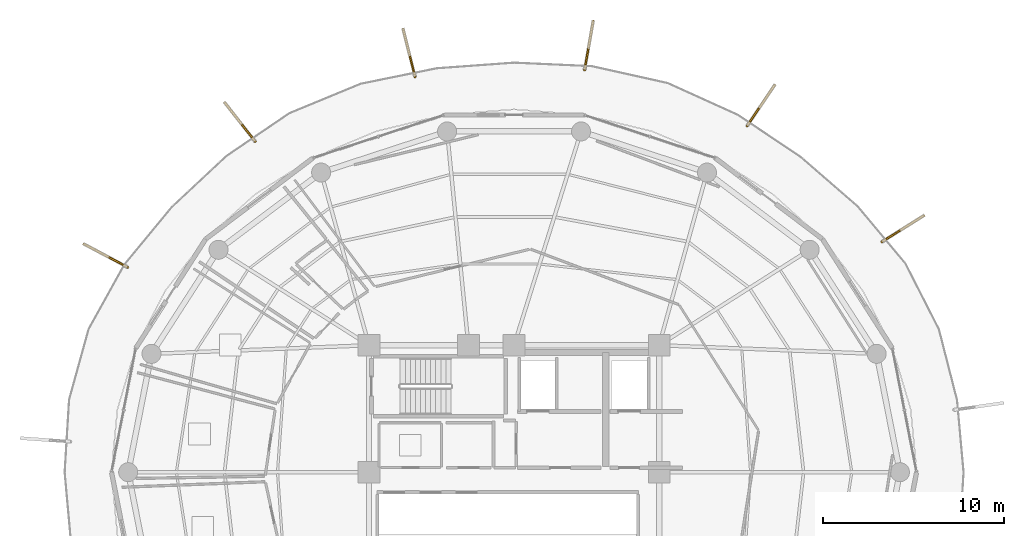
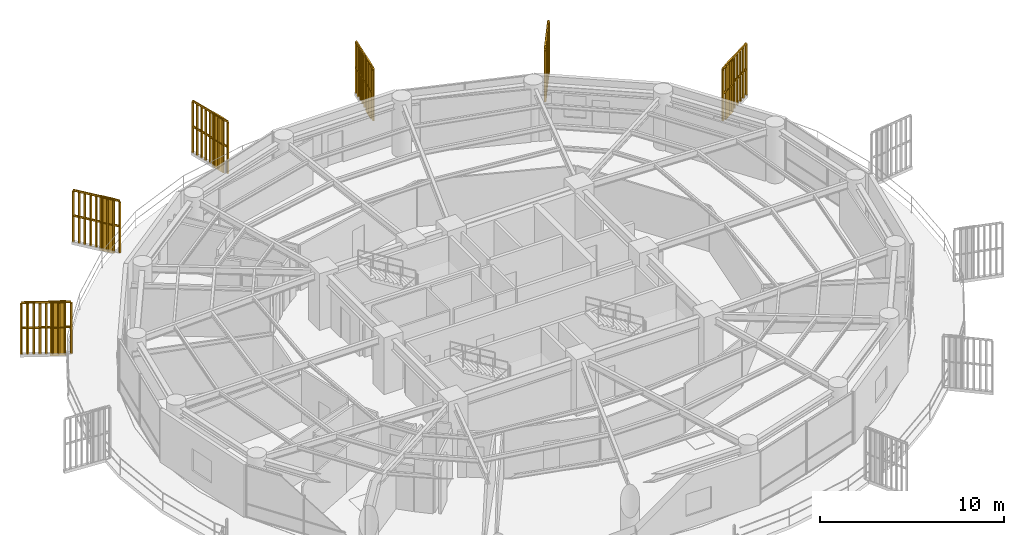
# One storey, part 30 of 30: 6 railings, 6 shading devices.
"""IFC4 building model written with IfcOpenShell, lengths in metres."""

from ifc_helpers import new_model, si_unit, direction, frame, origin, origin_2d, place, context, subcontext, project, spatial, polyline, rectangle, outline, extrude, source, transform, mapped, material, type_object, element, save


model = new_model("IFC4")

# Units and contexts
model_context = context("Model", 3, precision=1e-05, world=origin(), true_north=direction((0.0, 1.0)))
body_context = subcontext(model_context, "Body", "Model", "MODEL_VIEW")
ifc_project = project(units=[si_unit("LENGTHUNIT", "METRE"), si_unit("AREAUNIT", "SQUARE_METRE"), si_unit("VOLUMEUNIT", "CUBIC_METRE"), si_unit("PLANEANGLEUNIT", "RADIAN"), si_unit("MASSUNIT", "GRAM", prefix="KILO")], contexts=[model_context])

# Site, building, storey
site_placement = place(None, origin())
site = spatial("IfcSite", under=ifc_project, at=site_placement, CompositionType="ELEMENT")
building_placement = place(site_placement, origin())
building = spatial("IfcBuilding", under=site, at=building_placement, Name="Kelanora Arch Commons", CompositionType="ELEMENT")
storey_placement = place(building_placement, frame((0.0, 0.0, 211.949951171875)))
storey = spatial("IfcBuildingStorey", under=building, at=storey_placement, Name="L54", CompositionType="ELEMENT", Elevation=211.949951171875)

# Railings
ifc_material_1 = material(Name="Anodised bronze vertical shading fin rib assembly")
railing_type = type_object("IfcRailingType", Name="RAIL-FIN-BRZ", PredefinedType="BALUSTRADE", material=ifc_material_1)
railing_1_placement = place(storey_placement, frame((94.292724609375, 70.7080078125, -0.02001953125)))
element("IfcRailing", 1, at=railing_1_placement, inside=storey, type_object=railing_type, Name="Sweeping Bronze Vertical Fin Blade L54-03", PredefinedType="BALUSTRADE", context=body_context, shape_type="SweptSolid", body=[
    extrude(outline(polyline([(0.06982421875, 0.0), (0.034912109375, 0.060546875), (-0.034912109375, 0.060546875), (-0.06982421875, 0.0), (-0.034912109375, -0.060546875), (0.034912109375, -0.060546875), (0.06982421875, 0.0)])), frame((0.0, 0.0, 3.419921875), z_axis=(0.847567773261, 0.530687167482, 0.0), x_axis=(-0.530687167482, 0.847567773261, 0.0)), (0.0, 0.0, 1.0), 2.709716796875),
    extrude(outline(polyline([(0.06982421875, 0.0), (0.034912109375, 0.060546875), (-0.034912109375, 0.060546875), (-0.06982421875, 0.0), (-0.034912109375, -0.060546875), (0.034912109375, -0.060546875), (0.06982421875, 0.0)])), frame((0.0, 0.0, 1.7451171875), z_axis=(0.847567773261, 0.530687167482, 0.0), x_axis=(-0.530687167482, 0.847567773261, 0.0)), (0.0, 0.0, 1.0), 2.709716796875),
    extrude(outline(polyline([(0.080078125, 0.0), (0.0400390625, 0.0693359375), (-0.0400390625, 0.0693359375), (-0.080078125, 0.0), (-0.0400390625, -0.0693359375), (0.0400390625, -0.0693359375), (0.080078125, 0.0)])), origin(), (0.0, 0.0, 1.0), 3.35009765625),
    extrude(outline(polyline([(0.080078125, 0.0), (0.0400390625, 0.0693359375), (-0.0400390625, 0.0693359375), (-0.080078125, 0.0), (-0.0400390625, -0.0693359375), (0.0400390625, -0.0693359375), (0.080078125, 0.0)])), frame((0.287109375, 0.1796875, 0.0)), (0.0, 0.0, 1.0), 3.35009765625),
    extrude(outline(polyline([(0.080078125, 0.0), (0.0400390625, 0.0693359375), (-0.0400390625, 0.0693359375), (-0.080078125, 0.0), (-0.0400390625, -0.0693359375), (0.0400390625, -0.0693359375), (0.080078125, 0.0)])), frame((0.57421875, 0.359375, 0.0)), (0.0, 0.0, 1.0), 3.35009765625),
    extrude(outline(polyline([(0.080078125, 0.0), (0.0400390625, 0.0693359375), (-0.0400390625, 0.0693359375), (-0.080078125, 0.0), (-0.0400390625, -0.0693359375), (0.0400390625, -0.0693359375), (0.080078125, 0.0)])), frame((0.861328125, 0.539306640625, 0.0)), (0.0, 0.0, 1.0), 3.35009765625),
    extrude(outline(polyline([(0.080078125, 0.0), (0.0400390625, 0.0693359375), (-0.0400390625, 0.0693359375), (-0.080078125, 0.0), (-0.0400390625, -0.0693359375), (0.0400390625, -0.0693359375), (0.080078125, 0.0)])), frame((1.1484375, 0.718994140625, 0.0)), (0.0, 0.0, 1.0), 3.35009765625),
    extrude(outline(polyline([(0.080078125, 0.0), (0.0400390625, 0.0693359375), (-0.0400390625, 0.0693359375), (-0.080078125, 0.0), (-0.0400390625, -0.0693359375), (0.0400390625, -0.0693359375), (0.080078125, 0.0)])), frame((1.435302734375, 0.898681640625, 0.0)), (0.0, 0.0, 1.0), 3.35009765625),
    extrude(outline(polyline([(0.080078125, 0.0), (0.0400390625, 0.0693359375), (-0.0400390625, 0.0693359375), (-0.080078125, 0.0), (-0.0400390625, -0.0693359375), (0.0400390625, -0.0693359375), (0.080078125, 0.0)])), frame((1.722412109375, 1.07861328125, 0.0)), (0.0, 0.0, 1.0), 3.35009765625),
    extrude(outline(polyline([(0.080078125, 0.0), (0.0400390625, 0.0693359375), (-0.0400390625, 0.0693359375), (-0.080078125, 0.0), (-0.0400390625, -0.0693359375), (0.0400390625, -0.0693359375), (0.080078125, 0.0)])), frame((2.009521484375, 1.25830078125, 0.0)), (0.0, 0.0, 1.0), 3.35009765625),
    extrude(outline(polyline([(0.080078125, 0.0), (0.0400390625, 0.0693359375), (-0.0400390625, 0.0693359375), (-0.080078125, 0.0), (-0.0400390625, -0.0693359375), (0.0400390625, -0.0693359375), (0.080078125, 0.0)])), frame((2.296630859375, 1.43798828125, 0.0)), (0.0, 0.0, 1.0), 3.35009765625),
])
railing_2_placement = place(storey_placement, frame((86.8544921875, 77.097900390625, -0.02001953125)))
element("IfcRailing", 2, at=railing_2_placement, inside=storey, type_object=railing_type, Name="Sweeping Bronze Vertical Fin Blade L54-04", PredefinedType="BALUSTRADE", context=body_context, shape_type="SweptSolid", body=[
    extrude(outline(polyline([(0.06982421875, 0.0), (0.034912109375, 0.060546875), (-0.034912109375, 0.060546875), (-0.06982421875, 0.0), (-0.034912109375, -0.060546875), (0.034912109375, -0.060546875), (0.06982421875, 0.0)])), frame((0.0, 0.0, 3.419921875), z_axis=(0.558395446387, 0.829574906475, 0.0), x_axis=(-0.829574906475, 0.558395446387, 0.0)), (0.0, 0.0, 1.0), 2.7099609375),
    extrude(outline(polyline([(0.06982421875, 0.0), (0.034912109375, 0.060546875), (-0.034912109375, 0.060546875), (-0.06982421875, 0.0), (-0.034912109375, -0.060546875), (0.034912109375, -0.060546875), (0.06982421875, 0.0)])), frame((0.0, 0.0, 1.7451171875), z_axis=(0.558395446387, 0.829574906475, 0.0), x_axis=(-0.829574906475, 0.558395446387, 0.0)), (0.0, 0.0, 1.0), 2.7099609375),
    extrude(outline(polyline([(0.080078125, 0.0), (0.0400390625, 0.0693359375), (-0.0400390625, 0.0693359375), (-0.080078125, 0.0), (-0.0400390625, -0.0693359375), (0.0400390625, -0.0693359375), (0.080078125, 0.0)])), origin(), (0.0, 0.0, 1.0), 3.35009765625),
    extrude(outline(polyline([(0.080078125, 0.0), (0.0400390625, 0.0693359375), (-0.0400390625, 0.0693359375), (-0.080078125, 0.0), (-0.0400390625, -0.0693359375), (0.0400390625, -0.0693359375), (0.080078125, 0.0)])), frame((0.189208984375, 0.281005859375, 0.0)), (0.0, 0.0, 1.0), 3.35009765625),
    extrude(outline(polyline([(0.080078125, 0.0), (0.0400390625, 0.0693359375), (-0.0400390625, 0.0693359375), (-0.080078125, 0.0), (-0.0400390625, -0.0693359375), (0.0400390625, -0.0693359375), (0.080078125, 0.0)])), frame((0.37841796875, 0.56201171875, 0.0)), (0.0, 0.0, 1.0), 3.35009765625),
    extrude(outline(polyline([(0.080078125, 0.0), (0.0400390625, 0.0693359375), (-0.0400390625, 0.0693359375), (-0.080078125, 0.0), (-0.0400390625, -0.0693359375), (0.0400390625, -0.0693359375), (0.080078125, 0.0)])), frame((0.5673828125, 0.843017578125, 0.0)), (0.0, 0.0, 1.0), 3.35009765625),
    extrude(outline(polyline([(0.080078125, 0.0), (0.0400390625, 0.0693359375), (-0.0400390625, 0.0693359375), (-0.080078125, 0.0), (-0.0400390625, -0.0693359375), (0.0400390625, -0.0693359375), (0.080078125, 0.0)])), frame((0.756591796875, 1.1240234375, 0.0)), (0.0, 0.0, 1.0), 3.35009765625),
    extrude(outline(polyline([(0.080078125, 0.0), (0.0400390625, 0.0693359375), (-0.0400390625, 0.0693359375), (-0.080078125, 0.0), (-0.0400390625, -0.0693359375), (0.0400390625, -0.0693359375), (0.080078125, 0.0)])), frame((0.94580078125, 1.405029296875, 0.0)), (0.0, 0.0, 1.0), 3.35009765625),
    extrude(outline(polyline([(0.080078125, 0.0), (0.0400390625, 0.0693359375), (-0.0400390625, 0.0693359375), (-0.080078125, 0.0), (-0.0400390625, -0.0693359375), (0.0400390625, -0.0693359375), (0.080078125, 0.0)])), frame((1.134765625, 1.68603515625, 0.0)), (0.0, 0.0, 1.0), 3.35009765625),
    extrude(outline(polyline([(0.080078125, 0.0), (0.0400390625, 0.0693359375), (-0.0400390625, 0.0693359375), (-0.080078125, 0.0), (-0.0400390625, -0.0693359375), (0.0400390625, -0.0693359375), (0.080078125, 0.0)])), frame((1.323974609375, 1.967041015625, 0.0)), (0.0, 0.0, 1.0), 3.35009765625),
    extrude(outline(polyline([(0.080078125, 0.0), (0.0400390625, 0.0693359375), (-0.0400390625, 0.0693359375), (-0.080078125, 0.0), (-0.0400390625, -0.0693359375), (0.0400390625, -0.0693359375), (0.080078125, 0.0)])), frame((1.51318359375, 2.248046875, 0.0)), (0.0, 0.0, 1.0), 3.35009765625),
])
railing_3_placement = place(storey_placement, frame((77.890869140625, 80.193115234375, -0.02001953125)))
element("IfcRailing", 3, at=railing_3_placement, inside=storey, type_object=railing_type, Name="Sweeping Bronze Vertical Fin Blade L54-05", PredefinedType="BALUSTRADE", context=body_context, shape_type="SweptSolid", body=[
    extrude(outline(polyline([(0.06982421875, 0.0), (0.034912109375, 0.060546875), (-0.034912109375, 0.060546875), (-0.06982421875, 0.0), (-0.034912109375, -0.060546875), (0.034912109375, -0.060546875), (0.06982421875, 0.0)])), frame((0.0, 0.0, 3.419921875), z_axis=(0.172705942108, 0.984973429875, 0.0), x_axis=(-0.984973429875, 0.172705942108, 0.0)), (0.0, 0.0, 1.0), 2.7099609375),
    extrude(outline(polyline([(0.06982421875, 0.0), (0.034912109375, 0.060546875), (-0.034912109375, 0.060546875), (-0.06982421875, 0.0), (-0.034912109375, -0.060546875), (0.034912109375, -0.060546875), (0.06982421875, 0.0)])), frame((0.0, 0.0, 1.7451171875), z_axis=(0.172705942108, 0.984973429875, 0.0), x_axis=(-0.984973429875, 0.172705942108, 0.0)), (0.0, 0.0, 1.0), 2.7099609375),
    extrude(outline(polyline([(0.080078125, 0.0), (0.0400390625, 0.0693359375), (-0.0400390625, 0.0693359375), (-0.080078125, 0.0), (-0.0400390625, -0.0693359375), (0.0400390625, -0.0693359375), (0.080078125, 0.0)])), origin(), (0.0, 0.0, 1.0), 3.35009765625),
    extrude(outline(polyline([(0.080078125, 0.0), (0.0400390625, 0.0693359375), (-0.0400390625, 0.0693359375), (-0.080078125, 0.0), (-0.0400390625, -0.0693359375), (0.0400390625, -0.0693359375), (0.080078125, 0.0)])), frame((0.05859375, 0.333740234375, 0.0)), (0.0, 0.0, 1.0), 3.35009765625),
    extrude(outline(polyline([(0.080078125, 0.0), (0.0400390625, 0.0693359375), (-0.0400390625, 0.0693359375), (-0.080078125, 0.0), (-0.0400390625, -0.0693359375), (0.0400390625, -0.0693359375), (0.080078125, 0.0)])), frame((0.116943359375, 0.667236328125, 0.0)), (0.0, 0.0, 1.0), 3.35009765625),
    extrude(outline(polyline([(0.080078125, 0.0), (0.0400390625, 0.0693359375), (-0.0400390625, 0.0693359375), (-0.080078125, 0.0), (-0.0400390625, -0.0693359375), (0.0400390625, -0.0693359375), (0.080078125, 0.0)])), frame((0.175537109375, 1.0009765625, 0.0)), (0.0, 0.0, 1.0), 3.35009765625),
    extrude(outline(polyline([(0.080078125, 0.0), (0.0400390625, 0.0693359375), (-0.0400390625, 0.0693359375), (-0.080078125, 0.0), (-0.0400390625, -0.0693359375), (0.0400390625, -0.0693359375), (0.080078125, 0.0)])), frame((0.23388671875, 1.33447265625, 0.0)), (0.0, 0.0, 1.0), 3.35009765625),
    extrude(outline(polyline([(0.080078125, 0.0), (0.0400390625, 0.0693359375), (-0.0400390625, 0.0693359375), (-0.080078125, 0.0), (-0.0400390625, -0.0693359375), (0.0400390625, -0.0693359375), (0.080078125, 0.0)])), frame((0.29248046875, 1.668212890625, 0.0)), (0.0, 0.0, 1.0), 3.35009765625),
    extrude(outline(polyline([(0.080078125, 0.0), (0.0400390625, 0.0693359375), (-0.0400390625, 0.0693359375), (-0.080078125, 0.0), (-0.0400390625, -0.0693359375), (0.0400390625, -0.0693359375), (0.080078125, 0.0)])), frame((0.35107421875, 2.001953125, 0.0)), (0.0, 0.0, 1.0), 3.35009765625),
    extrude(outline(polyline([(0.080078125, 0.0), (0.0400390625, 0.0693359375), (-0.0400390625, 0.0693359375), (-0.080078125, 0.0), (-0.0400390625, -0.0693359375), (0.0400390625, -0.0693359375), (0.080078125, 0.0)])), frame((0.409423828125, 2.33544921875, 0.0)), (0.0, 0.0, 1.0), 3.35009765625),
    extrude(outline(polyline([(0.080078125, 0.0), (0.0400390625, 0.0693359375), (-0.0400390625, 0.0693359375), (-0.080078125, 0.0), (-0.0400390625, -0.0693359375), (0.0400390625, -0.0693359375), (0.080078125, 0.0)])), frame((0.468017578125, 2.669189453125, 0.0)), (0.0, 0.0, 1.0), 3.35009765625),
])
railing_4_placement = place(storey_placement, frame((68.539794921875, 79.809326171875, -0.02001953125)))
element("IfcRailing", 4, at=railing_4_placement, inside=storey, type_object=railing_type, Name="Sweeping Bronze Vertical Fin Blade L54-06", PredefinedType="BALUSTRADE", context=body_context, shape_type="SweptSolid", body=[
    extrude(outline(polyline([(0.06982421875, 0.0), (0.034912109375, 0.060546875), (-0.034912109375, 0.060546875), (-0.06982421875, 0.0), (-0.034912109375, -0.060546875), (0.034912109375, -0.060546875), (0.06982421875, 0.0)])), frame((0.0, 0.0, 3.419921875), z_axis=(-0.242895988107, 0.970052338259, 0.0), x_axis=(-0.970052338259, -0.242895988107, 0.0)), (0.0, 0.0, 1.0), 2.709716796875),
    extrude(outline(polyline([(0.06982421875, 0.0), (0.034912109375, 0.060546875), (-0.034912109375, 0.060546875), (-0.06982421875, 0.0), (-0.034912109375, -0.060546875), (0.034912109375, -0.060546875), (0.06982421875, 0.0)])), frame((0.0, 0.0, 1.7451171875), z_axis=(-0.242895988107, 0.970052338259, 0.0), x_axis=(-0.970052338259, -0.242895988107, 0.0)), (0.0, 0.0, 1.0), 2.709716796875),
    extrude(outline(polyline([(0.080078125, 0.0), (0.0400390625, 0.0693359375), (-0.0400390625, 0.0693359375), (-0.080078125, 0.0), (-0.0400390625, -0.0693359375), (0.0400390625, -0.0693359375), (0.080078125, 0.0)])), origin(), (0.0, 0.0, 1.0), 3.35009765625),
    extrude(outline(polyline([(0.080078125, 0.0), (0.0400390625, 0.0693359375), (-0.0400390625, 0.0693359375), (-0.080078125, 0.0), (-0.0400390625, -0.0693359375), (0.0400390625, -0.0693359375), (0.080078125, 0.0)])), frame((-0.082275390625, 0.32861328125, 0.0)), (0.0, 0.0, 1.0), 3.35009765625),
    extrude(outline(polyline([(0.080078125, 0.0), (0.0400390625, 0.0693359375), (-0.0400390625, 0.0693359375), (-0.080078125, 0.0), (-0.0400390625, -0.0693359375), (0.0400390625, -0.0693359375), (0.080078125, 0.0)])), frame((-0.16455078125, 0.6572265625, 0.0)), (0.0, 0.0, 1.0), 3.35009765625),
    extrude(outline(polyline([(0.080078125, 0.0), (0.0400390625, 0.0693359375), (-0.0400390625, 0.0693359375), (-0.080078125, 0.0), (-0.0400390625, -0.0693359375), (0.0400390625, -0.0693359375), (0.080078125, 0.0)])), frame((-0.246826171875, 0.98583984375, 0.0)), (0.0, 0.0, 1.0), 3.35009765625),
    extrude(outline(polyline([(0.080078125, 0.0), (0.0400390625, 0.0693359375), (-0.0400390625, 0.0693359375), (-0.080078125, 0.0), (-0.0400390625, -0.0693359375), (0.0400390625, -0.0693359375), (0.080078125, 0.0)])), frame((-0.3291015625, 1.314453125, 0.0)), (0.0, 0.0, 1.0), 3.35009765625),
    extrude(outline(polyline([(0.080078125, 0.0), (0.0400390625, 0.0693359375), (-0.0400390625, 0.0693359375), (-0.080078125, 0.0), (-0.0400390625, -0.0693359375), (0.0400390625, -0.0693359375), (0.080078125, 0.0)])), frame((-0.411376953125, 1.642822265625, 0.0)), (0.0, 0.0, 1.0), 3.35009765625),
    extrude(outline(polyline([(0.080078125, 0.0), (0.0400390625, 0.0693359375), (-0.0400390625, 0.0693359375), (-0.080078125, 0.0), (-0.0400390625, -0.0693359375), (0.0400390625, -0.0693359375), (0.080078125, 0.0)])), frame((-0.49365234375, 1.971435546875, 0.0)), (0.0, 0.0, 1.0), 3.35009765625),
    extrude(outline(polyline([(0.080078125, 0.0), (0.0400390625, 0.0693359375), (-0.0400390625, 0.0693359375), (-0.080078125, 0.0), (-0.0400390625, -0.0693359375), (0.0400390625, -0.0693359375), (0.080078125, 0.0)])), frame((-0.575927734375, 2.300048828125, 0.0)), (0.0, 0.0, 1.0), 3.35009765625),
    extrude(outline(polyline([(0.080078125, 0.0), (0.0400390625, 0.0693359375), (-0.0400390625, 0.0693359375), (-0.080078125, 0.0), (-0.0400390625, -0.0693359375), (0.0400390625, -0.0693359375), (0.080078125, 0.0)])), frame((-0.658203125, 2.628662109375, 0.0)), (0.0, 0.0, 1.0), 3.35009765625),
])
railing_5_placement = place(storey_placement, frame((59.716064453125, 76.245849609375, -0.02001953125)))
element("IfcRailing", 5, at=railing_5_placement, inside=storey, type_object=railing_type, Name="Sweeping Bronze Vertical Fin Blade L54-07", PredefinedType="BALUSTRADE", context=body_context, shape_type="SweptSolid", body=[
    extrude(outline(polyline([(0.06982421875, 0.0), (0.034912109375, 0.060546875), (-0.034912109375, 0.060546875), (-0.06982421875, 0.0), (-0.034912109375, -0.060546875), (0.034912109375, -0.060546875), (0.06982421875, 0.0)])), frame((0.0, 0.0, 3.419921875), z_axis=(-0.616420001017, 0.78741754003, 0.0), x_axis=(-0.78741754003, -0.616420001017, 0.0)), (0.0, 0.0, 1.0), 2.7099609375),
    extrude(outline(polyline([(0.06982421875, 0.0), (0.034912109375, 0.060546875), (-0.034912109375, 0.060546875), (-0.06982421875, 0.0), (-0.034912109375, -0.060546875), (0.034912109375, -0.060546875), (0.06982421875, 0.0)])), frame((0.0, 0.0, 1.7451171875), z_axis=(-0.616420001017, 0.78741754003, 0.0), x_axis=(-0.78741754003, -0.616420001017, 0.0)), (0.0, 0.0, 1.0), 2.7099609375),
    extrude(outline(polyline([(0.080078125, 0.0), (0.0400390625, 0.0693359375), (-0.0400390625, 0.0693359375), (-0.080078125, 0.0), (-0.0400390625, -0.0693359375), (0.0400390625, -0.0693359375), (0.080078125, 0.0)])), origin(), (0.0, 0.0, 1.0), 3.35009765625),
    extrude(outline(polyline([(0.080078125, 0.0), (0.0400390625, 0.0693359375), (-0.0400390625, 0.0693359375), (-0.080078125, 0.0), (-0.0400390625, -0.0693359375), (0.0400390625, -0.0693359375), (0.080078125, 0.0)])), frame((-0.208740234375, 0.2666015625, 0.0)), (0.0, 0.0, 1.0), 3.35009765625),
    extrude(outline(polyline([(0.080078125, 0.0), (0.0400390625, 0.0693359375), (-0.0400390625, 0.0693359375), (-0.080078125, 0.0), (-0.0400390625, -0.0693359375), (0.0400390625, -0.0693359375), (0.080078125, 0.0)])), frame((-0.41748046875, 0.533447265625, 0.0)), (0.0, 0.0, 1.0), 3.35009765625),
    extrude(outline(polyline([(0.080078125, 0.0), (0.0400390625, 0.0693359375), (-0.0400390625, 0.0693359375), (-0.080078125, 0.0), (-0.0400390625, -0.0693359375), (0.0400390625, -0.0693359375), (0.080078125, 0.0)])), frame((-0.62646484375, 0.80029296875, 0.0)), (0.0, 0.0, 1.0), 3.35009765625),
    extrude(outline(polyline([(0.080078125, 0.0), (0.0400390625, 0.0693359375), (-0.0400390625, 0.0693359375), (-0.080078125, 0.0), (-0.0400390625, -0.0693359375), (0.0400390625, -0.0693359375), (0.080078125, 0.0)])), frame((-0.835205078125, 1.06689453125, 0.0)), (0.0, 0.0, 1.0), 3.35009765625),
    extrude(outline(polyline([(0.080078125, 0.0), (0.0400390625, 0.0693359375), (-0.0400390625, 0.0693359375), (-0.080078125, 0.0), (-0.0400390625, -0.0693359375), (0.0400390625, -0.0693359375), (0.080078125, 0.0)])), frame((-1.0439453125, 1.33349609375, 0.0)), (0.0, 0.0, 1.0), 3.35009765625),
    extrude(outline(polyline([(0.080078125, 0.0), (0.0400390625, 0.0693359375), (-0.0400390625, 0.0693359375), (-0.080078125, 0.0), (-0.0400390625, -0.0693359375), (0.0400390625, -0.0693359375), (0.080078125, 0.0)])), frame((-1.2529296875, 1.600341796875, 0.0)), (0.0, 0.0, 1.0), 3.35009765625),
    extrude(outline(polyline([(0.080078125, 0.0), (0.0400390625, 0.0693359375), (-0.0400390625, 0.0693359375), (-0.080078125, 0.0), (-0.0400390625, -0.0693359375), (0.0400390625, -0.0693359375), (0.080078125, 0.0)])), frame((-1.461669921875, 1.8671875, 0.0)), (0.0, 0.0, 1.0), 3.35009765625),
    extrude(outline(polyline([(0.080078125, 0.0), (0.0400390625, 0.0693359375), (-0.0400390625, 0.0693359375), (-0.080078125, 0.0), (-0.0400390625, -0.0693359375), (0.0400390625, -0.0693359375), (0.080078125, 0.0)])), frame((-1.67041015625, 2.1337890625, 0.0)), (0.0, 0.0, 1.0), 3.35009765625),
])
railing_6_placement = place(storey_placement, frame((52.681396484375, 69.30859375, -0.02001953125)))
element("IfcRailing", 6, at=railing_6_placement, inside=storey, type_object=railing_type, Name="Sweeping Bronze Vertical Fin Blade L54-08", PredefinedType="BALUSTRADE", context=body_context, shape_type="SweptSolid", body=[
    extrude(outline(polyline([(0.06982421875, 0.0), (0.034912109375, 0.060546875), (-0.034912109375, 0.060546875), (-0.06982421875, 0.0), (-0.034912109375, -0.060546875), (0.034912109375, -0.060546875), (0.06982421875, 0.0)])), frame((0.0, 0.0, 3.419921875), z_axis=(-0.883393167313, 0.468632598038, 0.0), x_axis=(-0.468632598038, -0.883393167313, 0.0)), (0.0, 0.0, 1.0), 2.7099609375),
    extrude(outline(polyline([(0.06982421875, 0.0), (0.034912109375, 0.060546875), (-0.034912109375, 0.060546875), (-0.06982421875, 0.0), (-0.034912109375, -0.060546875), (0.034912109375, -0.060546875), (0.06982421875, 0.0)])), frame((0.0, 0.0, 1.7451171875), z_axis=(-0.883393167313, 0.468632598038, 0.0), x_axis=(-0.468632598038, -0.883393167313, 0.0)), (0.0, 0.0, 1.0), 2.7099609375),
    extrude(outline(polyline([(0.080078125, 0.0), (0.0400390625, 0.0693359375), (-0.0400390625, 0.0693359375), (-0.080078125, 0.0), (-0.0400390625, -0.0693359375), (0.0400390625, -0.0693359375), (0.080078125, 0.0)])), origin(), (0.0, 0.0, 1.0), 3.35009765625),
    extrude(outline(polyline([(0.080078125, 0.0), (0.0400390625, 0.0693359375), (-0.0400390625, 0.0693359375), (-0.080078125, 0.0), (-0.0400390625, -0.0693359375), (0.0400390625, -0.0693359375), (0.080078125, 0.0)])), frame((-0.29931640625, 0.15869140625, 0.0)), (0.0, 0.0, 1.0), 3.35009765625),
    extrude(outline(polyline([(0.080078125, 0.0), (0.0400390625, 0.0693359375), (-0.0400390625, 0.0693359375), (-0.080078125, 0.0), (-0.0400390625, -0.0693359375), (0.0400390625, -0.0693359375), (0.080078125, 0.0)])), frame((-0.5986328125, 0.3173828125, 0.0)), (0.0, 0.0, 1.0), 3.35009765625),
    extrude(outline(polyline([(0.080078125, 0.0), (0.0400390625, 0.0693359375), (-0.0400390625, 0.0693359375), (-0.080078125, 0.0), (-0.0400390625, -0.0693359375), (0.0400390625, -0.0693359375), (0.080078125, 0.0)])), frame((-0.897705078125, 0.476318359375, 0.0)), (0.0, 0.0, 1.0), 3.35009765625),
    extrude(outline(polyline([(0.080078125, 0.0), (0.0400390625, 0.0693359375), (-0.0400390625, 0.0693359375), (-0.080078125, 0.0), (-0.0400390625, -0.0693359375), (0.0400390625, -0.0693359375), (0.080078125, 0.0)])), frame((-1.197021484375, 0.635009765625, 0.0)), (0.0, 0.0, 1.0), 3.35009765625),
    extrude(outline(polyline([(0.080078125, 0.0), (0.0400390625, 0.0693359375), (-0.0400390625, 0.0693359375), (-0.080078125, 0.0), (-0.0400390625, -0.0693359375), (0.0400390625, -0.0693359375), (0.080078125, 0.0)])), frame((-1.496337890625, 0.793701171875, 0.0)), (0.0, 0.0, 1.0), 3.35009765625),
    extrude(outline(polyline([(0.080078125, 0.0), (0.0400390625, 0.0693359375), (-0.0400390625, 0.0693359375), (-0.080078125, 0.0), (-0.0400390625, -0.0693359375), (0.0400390625, -0.0693359375), (0.080078125, 0.0)])), frame((-1.79541015625, 0.95263671875, 0.0)), (0.0, 0.0, 1.0), 3.35009765625),
    extrude(outline(polyline([(0.080078125, 0.0), (0.0400390625, 0.0693359375), (-0.0400390625, 0.0693359375), (-0.080078125, 0.0), (-0.0400390625, -0.0693359375), (0.0400390625, -0.0693359375), (0.080078125, 0.0)])), frame((-2.0947265625, 1.111328125, 0.0)), (0.0, 0.0, 1.0), 3.35009765625),
    extrude(outline(polyline([(0.080078125, 0.0), (0.0400390625, 0.0693359375), (-0.0400390625, 0.0693359375), (-0.080078125, 0.0), (-0.0400390625, -0.0693359375), (0.0400390625, -0.0693359375), (0.080078125, 0.0)])), frame((-2.39404296875, 1.27001953125, 0.0)), (0.0, 0.0, 1.0), 3.35009765625),
])

# Shading devices
ifc_material_2 = material(Name="Terracotta ceramic-clad extruded aluminium fin", Category="masonry")
shading_device_type = type_object("IfcShadingDeviceType", Name="SHD-FIN-FLARE", PredefinedType="USERDEFINED", material=ifc_material_2)
shared_shape = source(origin(), body_context, "Body", "SweptSolid", [
    extrude(rectangle(XDim=0.8798828125, YDim=0.090087890625, at=origin_2d()), origin(), (0.0, 0.0, 1.0), 3.610107421875),
])
for number, where, z_axis, x_axis, name in (
    (7, (94.90283203125, 71.090087890625, -0.14013671875), (0.0, 0.0, 1.0), (0.847492701108, 0.5308070474, 0.0), "Sweeping Terracotta Fin L54-03"),
    (8, (87.256591796875, 77.6953125, -0.14013671875), (0.0, 0.0, 1.0), (0.558324430902, 0.829622703317, 0.0), "Sweeping Terracotta Fin L54-04"),
    (9, (78.01513671875, 80.90234375, -0.14013671875), (0.0, 0.0, 1.0), (0.172616794375, 0.984989056944, 0.0), "Sweeping Terracotta Fin L54-05"),
    (10, (68.36474609375, 80.5078125, -0.14013671875), (0.0, 0.0, 1.0), (-0.242937854074, 0.970041854282, 0.0), "Sweeping Terracotta Fin L54-06"),
    (11, (59.272216796875, 76.812744140625, -0.14013671875), (0.0, 0.0, 1.0), (-0.616486340532, 0.78736560246, 0.0), "Sweeping Terracotta Fin L54-07"),
    (12, (52.04541015625, 69.64599609375, -0.14013671875), (0.0, 0.0, 1.0), (-0.88343873811, 0.468546684981, 0.0), "Sweeping Terracotta Fin L54-08"),
):
    element("IfcShadingDevice", number, at=place(storey_placement, frame(where, z_axis=z_axis, x_axis=x_axis)), inside=storey, type_object=shading_device_type, Name=name, ObjectType="FIN", PredefinedType="USERDEFINED", context=body_context, shape_type="MappedRepresentation", body=[
        mapped(shared_shape, transform((0.0, 0.0, 0.0), scale=1.0)),
    ])

save(model, "model.ifc")
